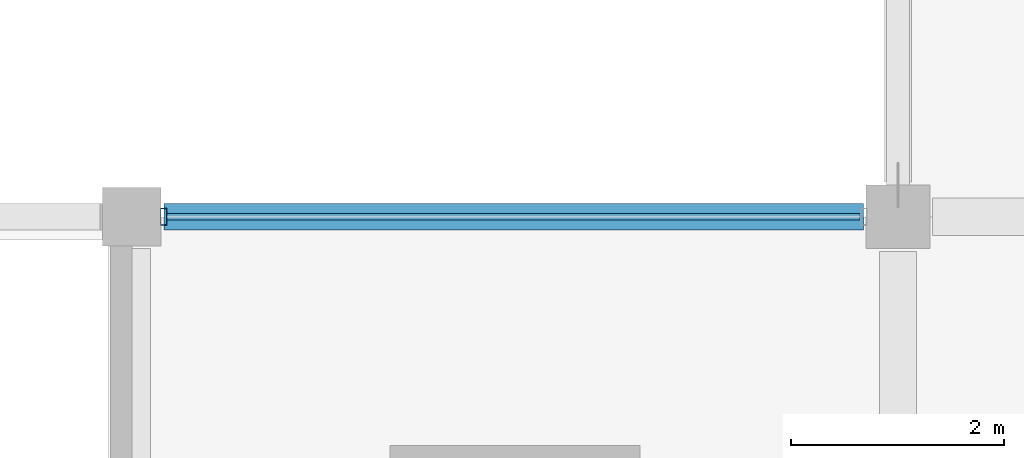
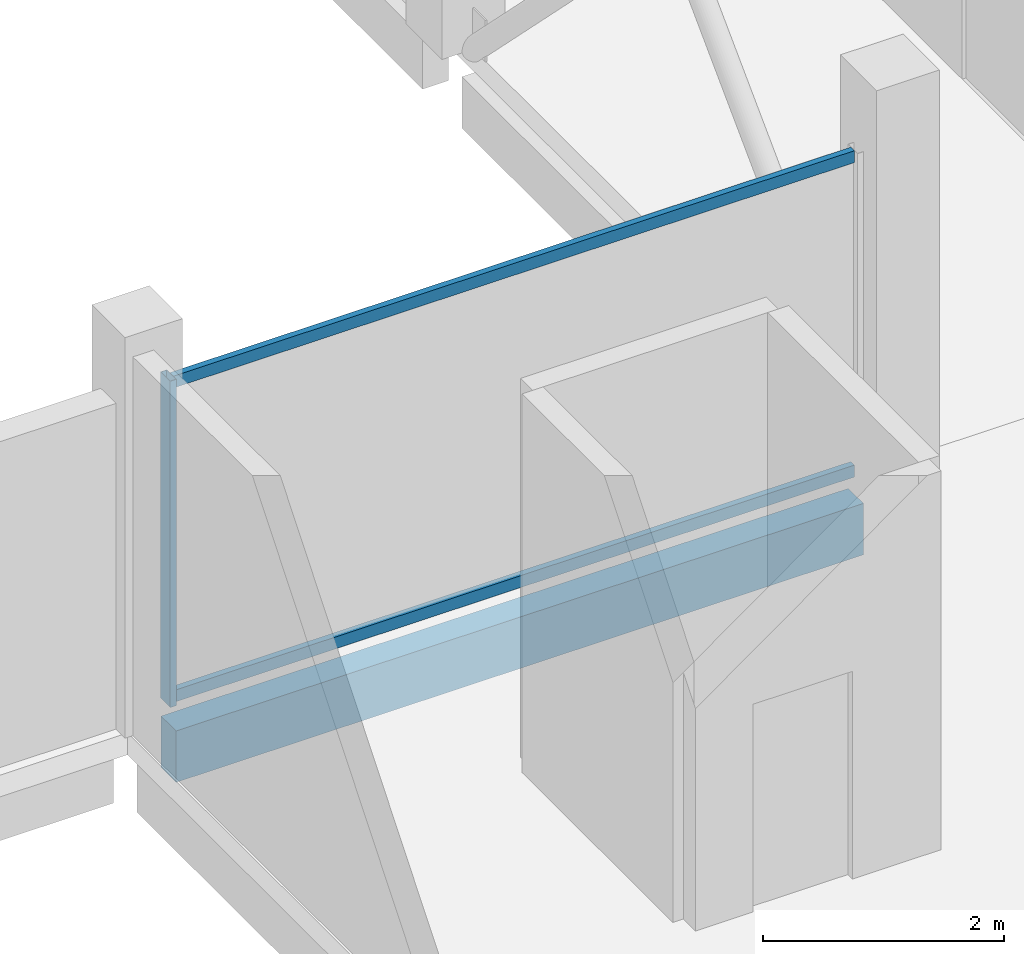
# One storey, part 14 of 59: 3 members, 1 beam, 1 element without a shape of its own.
"""IFC4 building model written with IfcOpenShell, lengths in metres."""

from ifc_helpers import new_model, si_unit, direction, frame, origin, origin_2d, place, context, subcontext, project, spatial, rectangle, hollow_rectangle, extrude, material, layer, layer_set, material_profile, profile_set, type_object, element, aggregate, save


model = new_model("IFC4")

# Units and contexts
model_context = context("Model", 3, precision=1e-05, world=origin(), true_north=direction((0.0, 1.0)))
body_context = subcontext(model_context, "Body", "Model", "MODEL_VIEW")
ifc_project = project(units=[si_unit("LENGTHUNIT", "METRE"), si_unit("AREAUNIT", "SQUARE_METRE"), si_unit("VOLUMEUNIT", "CUBIC_METRE"), si_unit("PLANEANGLEUNIT", "RADIAN"), si_unit("MASSUNIT", "GRAM", prefix="KILO")], contexts=[model_context])

# Site, building, storey
site_placement = place(None, origin())
site = spatial("IfcSite", under=ifc_project, at=site_placement, CompositionType="ELEMENT")
building_placement = place(site_placement, origin())
building = spatial("IfcBuilding", under=site, at=building_placement, Name="Kangsadwip Square Police Headquarters", CompositionType="ELEMENT")
storey_placement = place(building_placement, frame((0.0, 0.0, 21.60009765625)))
storey = spatial("IfcBuildingStorey", under=building, at=storey_placement, Name="L05", CompositionType="ELEMENT", Elevation=21.60009765625)

# Curtain wall, members
ifc_material_1 = material(Name="Thermally broken anodised aluminium AW-6063-T6", Category="aluminium")
ifc_layer = layer(ifc_material_1, 0.159912109375)
ifc_layer_set = layer_set([ifc_layer], Name="Thermally broken anodised aluminium AW-6063-T6")
curtain_wall_type = type_object("IfcCurtainWallType", Name="CourtScreen6635x3300", PredefinedType="USERDEFINED", material=ifc_layer_set)
curtain_wall_placement = place(storey_placement, origin())
curtain_wall = element("IfcCurtainWall", 1, at=curtain_wall_placement, inside=storey, type_object=curtain_wall_type, Name="Curtain Wall CW-L05-1371-0360", ObjectType="GLAZED_SCREEN", PredefinedType="USERDEFINED")
ifc_material_2 = material(Name="Thermally broken anodised aluminium AW-6063-T6", Category="aluminium")
ifc_material_profile_1 = material_profile(ifc_material_2, hollow_rectangle(XDim=0.06005859375, YDim=0.159912109375, WallThickness=0.00390625, at=origin_2d()), Name="CWM 160X60X4")
ifc_profile_set_1 = profile_set([ifc_material_profile_1], Name="Thermally broken anodised aluminium AW-6063-T6")
member_type_1 = type_object("IfcMemberType", Name="CwMullion135x60", PredefinedType="MULLION", material=ifc_profile_set_1)
member_1_placement = place(storey_placement, frame((137.10009765625, 36.0, 0.0), z_axis=(0.0, 0.0, 1.0), x_axis=(1.0, 0.0, 0.0)))
member_1 = element("IfcMember", 2, at=member_1_placement, type_object=member_type_1, Name="CW-50 mullion 1", PredefinedType="MULLION", context=body_context, shape_type="SweptSolid", body=[
    extrude(hollow_rectangle(XDim=0.06005859375, YDim=0.159912109375, WallThickness=0.00390625, at=origin_2d()), origin(), (0.0, 0.0, 1.0), 3.2998046875),
])
ifc_material_3 = material(Name="Thermally broken anodised aluminium AW-6063-T6", Category="aluminium")
ifc_material_profile_2 = material_profile(ifc_material_3, hollow_rectangle(XDim=0.06005859375, YDim=0.1201171875, WallThickness=0.00390625, at=origin_2d()), Name="CWT 120X60X4")
ifc_profile_set_2 = profile_set([ifc_material_profile_2], Name="Thermally broken anodised aluminium AW-6063-T6")
member_type_2 = type_object("IfcMemberType", Name="CwTransom120x55", PredefinedType="USERDEFINED", material=ifc_profile_set_2)
member_2_placement = place(storey_placement, frame((137.1298828125, 36.0, 0.059814453125), z_axis=(1.0, 0.0, 0.0), x_axis=(0.0, 1.0, 0.0)))
member_2 = element("IfcMember", 3, at=member_2_placement, type_object=member_type_2, Name="CW-50 transom 1.1", ObjectType="TRANSOM", PredefinedType="USERDEFINED", context=body_context, shape_type="SweptSolid", body=[
    extrude(hollow_rectangle(XDim=0.06005859375, YDim=0.1201171875, WallThickness=0.00390625, at=origin_2d()), origin(), (0.0, 0.0, 1.0), 6.51513671875),
])
member_3_placement = place(storey_placement, frame((137.1298828125, 36.0, 3.239990234375), z_axis=(1.0, 0.0, 0.0), x_axis=(0.0, 1.0, 0.0)))
member_3 = element("IfcMember", 4, at=member_3_placement, type_object=member_type_2, Name="CW-50 transom 1.2", ObjectType="TRANSOM", PredefinedType="USERDEFINED", context=body_context, shape_type="SweptSolid", body=[
    extrude(hollow_rectangle(XDim=0.06005859375, YDim=0.1201171875, WallThickness=0.00390625, at=origin_2d()), origin(), (0.0, 0.0, 1.0), 6.51513671875),
])
aggregate(curtain_wall, [member_1, member_2, member_3])

# Beam
ifc_material_4 = material(Name="Concrete M35 (35 MPa)", Category="concrete")
ifc_material_profile_3 = material_profile(ifc_material_4, rectangle(XDim=0.25, YDim=0.52001953125, at=origin_2d()), Name="RC SPN 520X250")
ifc_profile_set_3 = profile_set([ifc_material_profile_3], Name="Concrete M35 (35 MPa)")
beam_type = type_object("IfcBeamType", Name="RcSpandrel520x250", PredefinedType="SPANDREL", material=ifc_profile_set_3)
beam_placement = place(storey_placement, frame((137.10009765625, 36.0, -0.47998046875), z_axis=(1.0, 0.0, 0.0), x_axis=(0.0, 1.0, 0.0)))
element("IfcBeam", 5, at=beam_placement, inside=storey, type_object=beam_type, Name="Beam BM-L05-X-19-05", PredefinedType="SPANDREL", context=body_context, shape_type="SweptSolid", body=[
    extrude(rectangle(XDim=0.25, YDim=0.52001953125, at=origin_2d()), origin(), (0.0, 0.0, 1.0), 6.574951171875),
])

save(model, "model.ifc")
